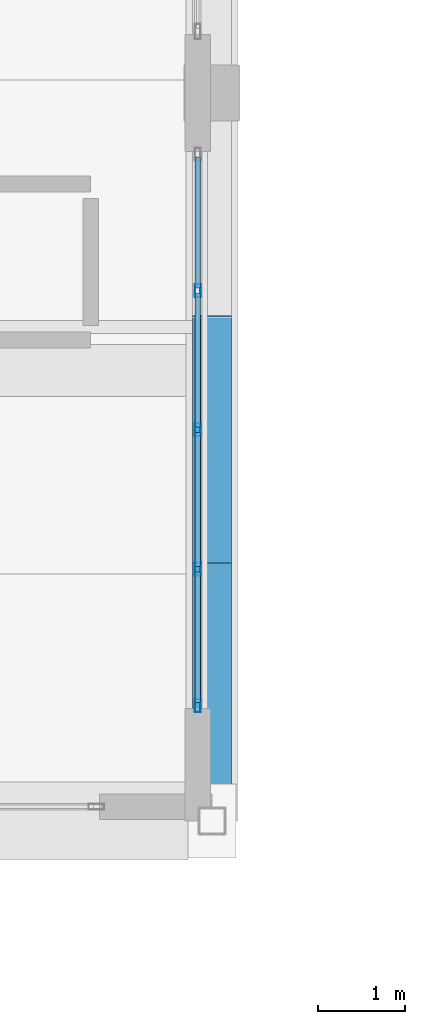
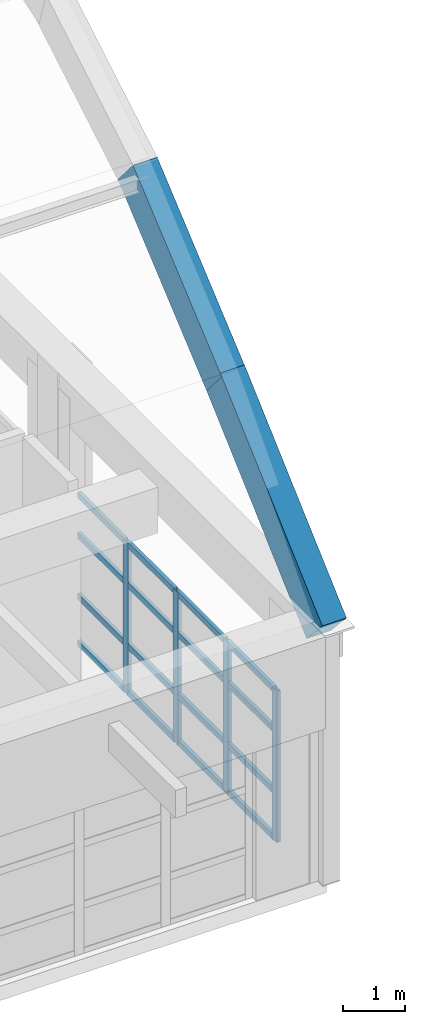
# One storey, part 49 of 103: 20 members, 2 beams, 1 element without a shape of its own.
"""IFC4 building model written with IfcOpenShell, lengths in metres."""

import ifcopenshell
import ifcopenshell.guid

model = None  # the IFC model being written
_history = None  # IfcOwnerHistory: only IFC2X3 demands one
_inside = {}  # id of a spatial element -> (the spatial element, [elements in it])
_under = {}  # id of a project, library or spatial element -> (it, [spatial elements below it])
_declared = {}  # id of a project -> (the project, [libraries it declares])
_typed = {}  # id of a type object -> (the type object, [elements of that type])
_made_of = {}  # id of a material, layer set ... -> (it, [elements and type objects made of it])


def new_model(schema):
    """Start an empty IFC model of exactly this schema.

    Asked for "IFC4X3", IfcOpenShell would pick the latest addendum, in which some entities
    have other attributes; the version numbers below select the first issue.
    IFC2X3 requires an IfcOwnerHistory on every rooted entity: one is made here for all.
    """
    global model, _history
    if schema == "IFC4X3":
        model = ifcopenshell.file(schema_version=(4, 3, 0, 0))
    else:
        model = ifcopenshell.file(schema=schema)
    _inside.clear()
    _under.clear()
    _declared.clear()
    _typed.clear()
    _made_of.clear()
    _history = None
    if model.schema == "IFC2X3":
        org = make("IfcOrganization", Name="unknown")
        user = make(
            "IfcPersonAndOrganization",
            ThePerson=make("IfcPerson", FamilyName="unknown"),
            TheOrganization=org,
        )
        app = make(
            "IfcApplication",
            ApplicationDeveloper=org,
            Version="unknown",
            ApplicationFullName="unknown",
            ApplicationIdentifier="unknown",
        )
        _history = make(
            "IfcOwnerHistory",
            OwningUser=user,
            OwningApplication=app,
            ChangeAction="ADDED",
            CreationDate=0,
        )
    return model


def make(cls, **values):
    """One entity of the class cls with the attributes given. An attribute that is None is left unset."""
    return model.create_entity(
        cls, **{name: value for name, value in values.items() if value is not None}
    )


def rooted(cls, **values):
    """An entity with a GlobalId (a new one), such as an element, a storey or a relation."""
    return make(cls, GlobalId=ifcopenshell.guid.new(), OwnerHistory=_history, **values)


def si_unit(unit_type, name, prefix=None):
    """IfcSIUnit, for example si_unit("LENGTHUNIT", "METRE", prefix="MILLI")."""
    return make("IfcSIUnit", UnitType=unit_type, Prefix=prefix, Name=name)


def assignment(units):
    """IfcUnitAssignment: the units of a project."""
    return None if units is None else make("IfcUnitAssignment", Units=units)


def point(xyz):
    """IfcCartesianPoint."""
    return None if xyz is None else make("IfcCartesianPoint", Coordinates=xyz)


def direction(xyz):
    """IfcDirection."""
    return None if xyz is None else make("IfcDirection", DirectionRatios=xyz)


def frame(location, z_axis=None, x_axis=None):
    """IfcAxis2Placement3D, a coordinate frame: its origin and axes. An axis left out is left unset."""
    return make(
        "IfcAxis2Placement3D",
        Location=point(location),
        Axis=direction(z_axis),
        RefDirection=direction(x_axis),
    )


def frame_2d(location, x_axis=None):
    """IfcAxis2Placement2D, a coordinate frame in the plane: its origin and x axis."""
    return make(
        "IfcAxis2Placement2D", Location=point(location), RefDirection=direction(x_axis)
    )


def origin():
    """The frame at (0, 0, 0) with its axes left unset."""
    return frame((0.0, 0.0, 0.0))


def origin_2d():
    """The frame at (0, 0) in the plane with its x axis left unset."""
    return frame_2d((0.0, 0.0))


def place(relative_to, where):
    """IfcLocalPlacement: puts the frame where relative to a parent placement (None: the world)."""
    return make(
        "IfcLocalPlacement", PlacementRelTo=relative_to, RelativePlacement=where
    )


def context(
    kind, dimensions, precision=None, world=None, true_north=None, identifier=None
):
    """IfcGeometricRepresentationContext, for example the 3D "Model" context."""
    return make(
        "IfcGeometricRepresentationContext",
        ContextIdentifier=identifier,
        ContextType=kind,
        CoordinateSpaceDimension=dimensions,
        Precision=precision,
        WorldCoordinateSystem=world,
        TrueNorth=true_north,
    )


def subcontext(parent, identifier, kind, view, scale=None):
    """IfcGeometricRepresentationSubContext, for example "Body" below "Model"."""
    return make(
        "IfcGeometricRepresentationSubContext",
        ContextIdentifier=identifier,
        ContextType=kind,
        ParentContext=parent,
        TargetScale=scale,
        TargetView=view,
    )


def project(units=None, contexts=None):
    """IfcProject with its units and contexts."""
    return rooted(
        "IfcProject",
        Name="project",
        RepresentationContexts=contexts,
        UnitsInContext=assignment(units),
    )


def spatial(cls, under=None, at=None, **own):
    """A site, building, storey or space (cls), placed at a placement, below another one or the project."""
    s = rooted(cls, ObjectPlacement=at, **own)
    if under is not None:
        _under.setdefault(under.id(), (under, []))[1].append(s)
    return s


def profile(cls, at=None, kind="AREA", **sizes):
    """A parametric profile (cls). Its sizes go by their IFC names, for example OverallWidth=200.0."""
    return make(cls, ProfileType=kind, Position=at, **sizes)


def rectangle(**sizes):
    """IfcRectangleProfileDef."""
    return profile("IfcRectangleProfileDef", **sizes)


def hollow_rectangle(**sizes):
    """IfcRectangleHollowProfileDef."""
    return profile("IfcRectangleHollowProfileDef", **sizes)


def extrude(swept, where, along, depth):
    """IfcExtrudedAreaSolid: the profile swept, set in the frame where, extruded along a direction by depth."""
    return make(
        "IfcExtrudedAreaSolid",
        SweptArea=swept,
        Position=where,
        ExtrudedDirection=direction(along),
        Depth=depth,
    )


def shape(context_of_items, identifier, shape_type, items):
    """IfcShapeRepresentation: the items that make up one representation, for example the "Body"."""
    return make(
        "IfcShapeRepresentation",
        ContextOfItems=context_of_items,
        RepresentationIdentifier=identifier,
        RepresentationType=shape_type,
        Items=items,
    )


def material(Name=None, Category=None):
    """IfcMaterial."""
    return make("IfcMaterial", Name=Name, Category=Category)


def layer(
    of_material, thickness, ventilated=None, Name=None, Category=None, Priority=None
):
    """IfcMaterialLayer: one layer of a wall or slab, of a material (None: an air gap)."""
    return make(
        "IfcMaterialLayer",
        Material=of_material,
        LayerThickness=thickness,
        IsVentilated=ventilated,
        Name=Name,
        Category=Category,
        Priority=Priority,
    )


def layer_set(layers, Name=None):
    """IfcMaterialLayerSet."""
    return make("IfcMaterialLayerSet", MaterialLayers=layers, LayerSetName=Name)


def material_profile(
    of_material, cross_section, Name=None, Category=None, Priority=None
):
    """IfcMaterialProfile: a cross section and its material."""
    return make(
        "IfcMaterialProfile",
        Name=Name,
        Material=of_material,
        Profile=cross_section,
        Priority=Priority,
        Category=Category,
    )


def profile_set(profiles, Name=None, composite=None):
    """IfcMaterialProfileSet."""
    return make(
        "IfcMaterialProfileSet",
        Name=Name,
        MaterialProfiles=profiles,
        CompositeProfile=composite,
    )


def made_of(thing, what):
    """Note that an element or type object is made of a material, layer set ...; save() writes the relation."""
    if what is not None:
        _made_of.setdefault(what.id(), (what, []))[1].append(thing)
    return thing


def type_object(cls, material=None, **own):
    """A type object (cls), such as IfcWallType, which elements share."""
    return made_of(rooted(cls, **own), material)


def element(
    cls,
    number,
    at=None,
    inside=None,
    cuts=None,
    type_object=None,
    material=None,
    context=None,
    identifier="Body",
    shape_type=None,
    held_by="IfcProductDefinitionShape",
    body=None,
    shapes=None,
    **own,
):
    """One element of the class cls, such as IfcWall. Its Tag is "e" and its number.

    at: its placement. inside: the storey or other place that contains it. cuts: it is an
    opening in that element (IfcRelVoidsElement). A single representation is given by context,
    identifier, shape_type and body (its items); several are given by shapes. held_by: the class
    of the entity that holds the representations. save() writes the other relations.
    """
    e = rooted(cls, Tag="e%d" % number, ObjectPlacement=at, **own)
    if body is not None:
        shapes = [shape(context, identifier, shape_type, body)]
    if shapes is not None:
        e.Representation = make(held_by, Representations=shapes)
    if inside is not None:
        _inside.setdefault(inside.id(), (inside, []))[1].append(e)
    if cuts is not None:
        rooted(
            "IfcRelVoidsElement", RelatingBuildingElement=cuts, RelatedOpeningElement=e
        )
    if type_object is not None:
        _typed.setdefault(type_object.id(), (type_object, []))[1].append(e)
    return made_of(e, material)


def aggregate(whole, parts):
    """IfcRelAggregates: a whole, such as a stair, and the parts it consists of."""
    return rooted("IfcRelAggregates", RelatingObject=whole, RelatedObjects=parts)


def save(model, path):
    """Write the relations noted so far, then the file.

    IfcRelAggregates (storeys below a building ...), IfcRelContainedInSpatialStructure (elements
    in a storey), IfcRelDefinesByType, IfcRelAssociatesMaterial and IfcRelDeclares: one each for
    every whole, place, type object, material and project.
    """
    for whole, parts in _under.values():
        aggregate(whole, parts)
    for where, things in _inside.values():
        rooted(
            "IfcRelContainedInSpatialStructure",
            RelatedElements=things,
            RelatingStructure=where,
        )
    for kind, things in _typed.values():
        rooted("IfcRelDefinesByType", RelatedObjects=things, RelatingType=kind)
    for what, things in _made_of.values():
        rooted("IfcRelAssociatesMaterial", RelatedObjects=things, RelatingMaterial=what)
    for by, libraries in _declared.values():
        rooted("IfcRelDeclares", RelatingContext=by, RelatedDefinitions=libraries)
    model.write(path)


model = new_model("IFC4")

# Units and contexts
model_context = context("Model", 3, precision=1e-05, world=origin(), true_north=direction((0.0, 1.0)))
body_context = subcontext(model_context, "Body", "Model", "MODEL_VIEW")
ifc_project = project(units=[si_unit("LENGTHUNIT", "METRE"), si_unit("AREAUNIT", "SQUARE_METRE"), si_unit("VOLUMEUNIT", "CUBIC_METRE"), si_unit("PLANEANGLEUNIT", "RADIAN"), si_unit("MASSUNIT", "GRAM", prefix="KILO")], contexts=[model_context])

# Site, building, storey
site_placement = place(None, origin())
site = spatial("IfcSite", under=ifc_project, at=site_placement, CompositionType="ELEMENT")
building_placement = place(site_placement, origin())
building = spatial("IfcBuilding", under=site, at=building_placement, Name="Quendrovan Civic Courthouse", CompositionType="ELEMENT")
storey_placement = place(building_placement, frame((0.0, 0.0, 15.300048828125)))
storey = spatial("IfcBuildingStorey", under=building, at=storey_placement, Name="L04", CompositionType="ELEMENT", Elevation=15.300048828125)

# Beams
ifc_material_1 = material(Name="Concrete C40/50", Category="concrete")
ifc_material_profile_1 = material_profile(ifc_material_1, rectangle(XDim=0.449951171875, YDim=0.75, at=origin_2d()), Name="RC-VRIB-450x750")
ifc_profile_set_1 = profile_set([ifc_material_profile_1], Name="Concrete C40/50")
beam_type = type_object("IfcBeamType", Name="BM-VRIB750", PredefinedType="BEAM", material=ifc_profile_set_1)
beam_1_placement = place(storey_placement, frame((92.39990234375, 64.800048828125, 4.89990234375), z_axis=(0.0, 0.740758632606, 0.671771276716), x_axis=(-1.0, 0.0, 0.0)))
element("IfcBeam", 1, at=beam_1_placement, inside=storey, type_object=beam_type, Name="BV2 Concrete Vault Arch Rib A8-C1", PredefinedType="BEAM", context=body_context, shape_type="SweptSolid", body=[
    extrude(rectangle(XDim=0.449951171875, YDim=0.75, at=origin_2d()), origin(), (0.0, 0.0, 1.0), 4.423583984375),
])
beam_2_placement = place(storey_placement, frame((92.39990234375, 68.022216796875, 7.818603515625), z_axis=(0.0, 0.762391958025, 0.647115524724), x_axis=(-1.0, 0.0, 0.0)))
element("IfcBeam", 2, at=beam_2_placement, inside=storey, type_object=beam_type, Name="BV2 Concrete Vault Arch Rib A8-C2", PredefinedType="BEAM", context=body_context, shape_type="SweptSolid", body=[
    extrude(rectangle(XDim=0.449951171875, YDim=0.75, at=origin_2d()), origin(), (0.0, 0.0, 1.0), 3.738037109375),
])

# Curtain wall, members
ifc_material_2 = material(Name="Bronze anodised aluminium and low-E glass", Category="aluminium")
ifc_layer = layer(ifc_material_2, 0.179931640625, Name="Bronze anodised aluminium and low-E glass")
ifc_layer_set = layer_set([ifc_layer], Name="Bronze anodised aluminium and low-E glass")
curtain_wall_type = type_object("IfcCurtainWallType", Name="CW-U64x30", PredefinedType="USERDEFINED", material=ifc_layer_set)
curtain_wall_placement = place(storey_placement, origin())
curtain_wall = element("IfcCurtainWall", 3, at=curtain_wall_placement, inside=storey, type_object=curtain_wall_type, Name="L04 Unitised Hurricane Curtain Wall CW-157", ObjectType="UNITISED CURTAIN WALL", PredefinedType="USERDEFINED")
ifc_material_3 = material(Name="Bronze anodised aluminium", Category="aluminium")
ifc_material_profile_2 = material_profile(ifc_material_3, hollow_rectangle(XDim=0.06494140625, YDim=0.14990234375, WallThickness=0.00390625, at=origin_2d()), Name="CW-MULL-65x150")
ifc_profile_set_2 = profile_set([ifc_material_profile_2], Name="Bronze anodised aluminium")
member_type_1 = type_object("IfcMemberType", Name="CW-MULL-B", PredefinedType="MULLION", material=ifc_profile_set_2)
member_1_placement = place(storey_placement, frame((92.235107421875, 70.918701171875, 0.0), z_axis=(0.0, 0.0, 1.0), x_axis=(1.0, 0.0, 0.0)))
member_1 = element("IfcMember", 4, at=member_1_placement, type_object=member_type_1, Name="CW-157 mullion 2", PredefinedType="MULLION", context=body_context, shape_type="SweptSolid", body=[
    extrude(hollow_rectangle(XDim=0.06494140625, YDim=0.14990234375, WallThickness=0.00390625, at=origin_2d()), origin(), (0.0, 0.0, 1.0), 2.969970703125),
])
member_2_placement = place(storey_placement, frame((92.235107421875, 69.3125, 0.0), z_axis=(0.0, 0.0, 1.0), x_axis=(1.0, 0.0, 0.0)))
member_2 = element("IfcMember", 5, at=member_2_placement, type_object=member_type_1, Name="CW-157 mullion 3", PredefinedType="MULLION", context=body_context, shape_type="SweptSolid", body=[
    extrude(hollow_rectangle(XDim=0.06494140625, YDim=0.14990234375, WallThickness=0.00390625, at=origin_2d()), origin(), (0.0, 0.0, 1.0), 2.969970703125),
])
member_3_placement = place(storey_placement, frame((92.235107421875, 67.706298828125, 0.0), z_axis=(0.0, 0.0, 1.0), x_axis=(1.0, 0.0, 0.0)))
member_3 = element("IfcMember", 6, at=member_3_placement, type_object=member_type_1, Name="CW-157 mullion 4", PredefinedType="MULLION", context=body_context, shape_type="SweptSolid", body=[
    extrude(hollow_rectangle(XDim=0.06494140625, YDim=0.14990234375, WallThickness=0.00390625, at=origin_2d()), origin(), (0.0, 0.0, 1.0), 2.969970703125),
])
member_4_placement = place(storey_placement, frame((92.235107421875, 66.132568359375, 0.0), z_axis=(0.0, 0.0, 1.0), x_axis=(1.0, 0.0, 0.0)))
member_4 = element("IfcMember", 7, at=member_4_placement, type_object=member_type_1, Name="CW-157 mullion 5", PredefinedType="MULLION", context=body_context, shape_type="SweptSolid", body=[
    extrude(hollow_rectangle(XDim=0.06494140625, YDim=0.14990234375, WallThickness=0.00390625, at=origin_2d()), origin(), (0.0, 0.0, 1.0), 2.969970703125),
])
ifc_material_profile_3 = material_profile(ifc_material_3, hollow_rectangle(XDim=0.06494140625, YDim=0.114990234375, WallThickness=0.00390625, at=origin_2d()), Name="CW-TRAN-65x115")
ifc_profile_set_3 = profile_set([ifc_material_profile_3], Name="Bronze anodised aluminium")
member_type_2 = type_object("IfcMemberType", Name="CW-TRAN-B", PredefinedType="USERDEFINED", material=ifc_profile_set_3)
member_5_placement = place(storey_placement, frame((92.235107421875, 72.4599609375, 0.032470703125), z_axis=(0.0, -1.0, 0.0), x_axis=(1.0, 0.0, 0.0)))
member_5 = element("IfcMember", 8, at=member_5_placement, type_object=member_type_2, Name="CW-157 transom 1.1", ObjectType="TRANSOM", PredefinedType="USERDEFINED", context=body_context, shape_type="SweptSolid", body=[
    extrude(hollow_rectangle(XDim=0.06494140625, YDim=0.114990234375, WallThickness=0.00390625, at=origin_2d()), origin(), (0.0, 0.0, 1.0), 1.5087890625),
])
member_6_placement = place(storey_placement, frame((92.235107421875, 72.4599609375, 0.949951171875), z_axis=(0.0, -1.0, 0.0), x_axis=(1.0, 0.0, 0.0)))
member_6 = element("IfcMember", 9, at=member_6_placement, type_object=member_type_2, Name="CW-157 transom 1.2", ObjectType="TRANSOM", PredefinedType="USERDEFINED", context=body_context, shape_type="SweptSolid", body=[
    extrude(hollow_rectangle(XDim=0.06494140625, YDim=0.114990234375, WallThickness=0.00390625, at=origin_2d()), origin(), (0.0, 0.0, 1.0), 1.5087890625),
])
member_7_placement = place(storey_placement, frame((92.235107421875, 72.4599609375, 2.14990234375), z_axis=(0.0, -1.0, 0.0), x_axis=(1.0, 0.0, 0.0)))
member_7 = element("IfcMember", 10, at=member_7_placement, type_object=member_type_2, Name="CW-157 transom 1.3", ObjectType="TRANSOM", PredefinedType="USERDEFINED", context=body_context, shape_type="SweptSolid", body=[
    extrude(hollow_rectangle(XDim=0.06494140625, YDim=0.114990234375, WallThickness=0.00390625, at=origin_2d()), origin(), (0.0, 0.0, 1.0), 1.5087890625),
])
member_8_placement = place(storey_placement, frame((92.235107421875, 72.4599609375, 2.9375), z_axis=(0.0, -1.0, 0.0), x_axis=(1.0, 0.0, 0.0)))
member_8 = element("IfcMember", 11, at=member_8_placement, type_object=member_type_2, Name="CW-157 transom 1.4", ObjectType="TRANSOM", PredefinedType="USERDEFINED", context=body_context, shape_type="SweptSolid", body=[
    extrude(hollow_rectangle(XDim=0.06494140625, YDim=0.114990234375, WallThickness=0.00390625, at=origin_2d()), origin(), (0.0, 0.0, 1.0), 1.5087890625),
])
member_9_placement = place(storey_placement, frame((92.235107421875, 70.88623046875, 0.032470703125), z_axis=(0.0, -1.0, 0.0), x_axis=(1.0, 0.0, 0.0)))
member_9 = element("IfcMember", 12, at=member_9_placement, type_object=member_type_2, Name="CW-157 transom 2.1", ObjectType="TRANSOM", PredefinedType="USERDEFINED", context=body_context, shape_type="SweptSolid", body=[
    extrude(hollow_rectangle(XDim=0.06494140625, YDim=0.114990234375, WallThickness=0.00390625, at=origin_2d()), origin(), (0.0, 0.0, 1.0), 1.541259765625),
])
member_10_placement = place(storey_placement, frame((92.235107421875, 70.88623046875, 0.949951171875), z_axis=(0.0, -1.0, 0.0), x_axis=(1.0, 0.0, 0.0)))
member_10 = element("IfcMember", 13, at=member_10_placement, type_object=member_type_2, Name="CW-157 transom 2.2", ObjectType="TRANSOM", PredefinedType="USERDEFINED", context=body_context, shape_type="SweptSolid", body=[
    extrude(hollow_rectangle(XDim=0.06494140625, YDim=0.114990234375, WallThickness=0.00390625, at=origin_2d()), origin(), (0.0, 0.0, 1.0), 1.541259765625),
])
member_11_placement = place(storey_placement, frame((92.235107421875, 70.88623046875, 2.14990234375), z_axis=(0.0, -1.0, 0.0), x_axis=(1.0, 0.0, 0.0)))
member_11 = element("IfcMember", 14, at=member_11_placement, type_object=member_type_2, Name="CW-157 transom 2.3", ObjectType="TRANSOM", PredefinedType="USERDEFINED", context=body_context, shape_type="SweptSolid", body=[
    extrude(hollow_rectangle(XDim=0.06494140625, YDim=0.114990234375, WallThickness=0.00390625, at=origin_2d()), origin(), (0.0, 0.0, 1.0), 1.541259765625),
])
member_12_placement = place(storey_placement, frame((92.235107421875, 70.88623046875, 2.9375), z_axis=(0.0, -1.0, 0.0), x_axis=(1.0, 0.0, 0.0)))
member_12 = element("IfcMember", 15, at=member_12_placement, type_object=member_type_2, Name="CW-157 transom 2.4", ObjectType="TRANSOM", PredefinedType="USERDEFINED", context=body_context, shape_type="SweptSolid", body=[
    extrude(hollow_rectangle(XDim=0.06494140625, YDim=0.114990234375, WallThickness=0.00390625, at=origin_2d()), origin(), (0.0, 0.0, 1.0), 1.541259765625),
])
member_13_placement = place(storey_placement, frame((92.235107421875, 69.280029296875, 0.032470703125), z_axis=(0.0, -1.0, 0.0), x_axis=(1.0, 0.0, 0.0)))
member_13 = element("IfcMember", 16, at=member_13_placement, type_object=member_type_2, Name="CW-157 transom 3.1", ObjectType="TRANSOM", PredefinedType="USERDEFINED", context=body_context, shape_type="SweptSolid", body=[
    extrude(hollow_rectangle(XDim=0.06494140625, YDim=0.114990234375, WallThickness=0.00390625, at=origin_2d()), origin(), (0.0, 0.0, 1.0), 1.541259765625),
])
member_14_placement = place(storey_placement, frame((92.235107421875, 69.280029296875, 0.949951171875), z_axis=(0.0, -1.0, 0.0), x_axis=(1.0, 0.0, 0.0)))
member_14 = element("IfcMember", 17, at=member_14_placement, type_object=member_type_2, Name="CW-157 transom 3.2", ObjectType="TRANSOM", PredefinedType="USERDEFINED", context=body_context, shape_type="SweptSolid", body=[
    extrude(hollow_rectangle(XDim=0.06494140625, YDim=0.114990234375, WallThickness=0.00390625, at=origin_2d()), origin(), (0.0, 0.0, 1.0), 1.541259765625),
])
member_15_placement = place(storey_placement, frame((92.235107421875, 69.280029296875, 2.14990234375), z_axis=(0.0, -1.0, 0.0), x_axis=(1.0, 0.0, 0.0)))
member_15 = element("IfcMember", 18, at=member_15_placement, type_object=member_type_2, Name="CW-157 transom 3.3", ObjectType="TRANSOM", PredefinedType="USERDEFINED", context=body_context, shape_type="SweptSolid", body=[
    extrude(hollow_rectangle(XDim=0.06494140625, YDim=0.114990234375, WallThickness=0.00390625, at=origin_2d()), origin(), (0.0, 0.0, 1.0), 1.541259765625),
])
member_16_placement = place(storey_placement, frame((92.235107421875, 69.280029296875, 2.9375), z_axis=(0.0, -1.0, 0.0), x_axis=(1.0, 0.0, 0.0)))
member_16 = element("IfcMember", 19, at=member_16_placement, type_object=member_type_2, Name="CW-157 transom 3.4", ObjectType="TRANSOM", PredefinedType="USERDEFINED", context=body_context, shape_type="SweptSolid", body=[
    extrude(hollow_rectangle(XDim=0.06494140625, YDim=0.114990234375, WallThickness=0.00390625, at=origin_2d()), origin(), (0.0, 0.0, 1.0), 1.541259765625),
])
member_17_placement = place(storey_placement, frame((92.235107421875, 67.673828125, 0.032470703125), z_axis=(0.0, -1.0, 0.0), x_axis=(1.0, 0.0, 0.0)))
member_17 = element("IfcMember", 20, at=member_17_placement, type_object=member_type_2, Name="CW-157 transom 4.1", ObjectType="TRANSOM", PredefinedType="USERDEFINED", context=body_context, shape_type="SweptSolid", body=[
    extrude(hollow_rectangle(XDim=0.06494140625, YDim=0.114990234375, WallThickness=0.00390625, at=origin_2d()), origin(), (0.0, 0.0, 1.0), 1.5087890625),
])
member_18_placement = place(storey_placement, frame((92.235107421875, 67.673828125, 0.949951171875), z_axis=(0.0, -1.0, 0.0), x_axis=(1.0, 0.0, 0.0)))
member_18 = element("IfcMember", 21, at=member_18_placement, type_object=member_type_2, Name="CW-157 transom 4.2", ObjectType="TRANSOM", PredefinedType="USERDEFINED", context=body_context, shape_type="SweptSolid", body=[
    extrude(hollow_rectangle(XDim=0.06494140625, YDim=0.114990234375, WallThickness=0.00390625, at=origin_2d()), origin(), (0.0, 0.0, 1.0), 1.5087890625),
])
member_19_placement = place(storey_placement, frame((92.235107421875, 67.673828125, 2.14990234375), z_axis=(0.0, -1.0, 0.0), x_axis=(1.0, 0.0, 0.0)))
member_19 = element("IfcMember", 22, at=member_19_placement, type_object=member_type_2, Name="CW-157 transom 4.3", ObjectType="TRANSOM", PredefinedType="USERDEFINED", context=body_context, shape_type="SweptSolid", body=[
    extrude(hollow_rectangle(XDim=0.06494140625, YDim=0.114990234375, WallThickness=0.00390625, at=origin_2d()), origin(), (0.0, 0.0, 1.0), 1.5087890625),
])
member_20_placement = place(storey_placement, frame((92.235107421875, 67.673828125, 2.9375), z_axis=(0.0, -1.0, 0.0), x_axis=(1.0, 0.0, 0.0)))
member_20 = element("IfcMember", 23, at=member_20_placement, type_object=member_type_2, Name="CW-157 transom 4.4", ObjectType="TRANSOM", PredefinedType="USERDEFINED", context=body_context, shape_type="SweptSolid", body=[
    extrude(hollow_rectangle(XDim=0.06494140625, YDim=0.114990234375, WallThickness=0.00390625, at=origin_2d()), origin(), (0.0, 0.0, 1.0), 1.5087890625),
])
aggregate(curtain_wall, [member_1, member_2, member_3, member_4, member_5, member_6, member_7, member_8, member_9, member_10, member_11, member_12, member_13, member_14, member_15, member_16, member_17, member_18, member_19, member_20])

save(model, "model.ifc")
